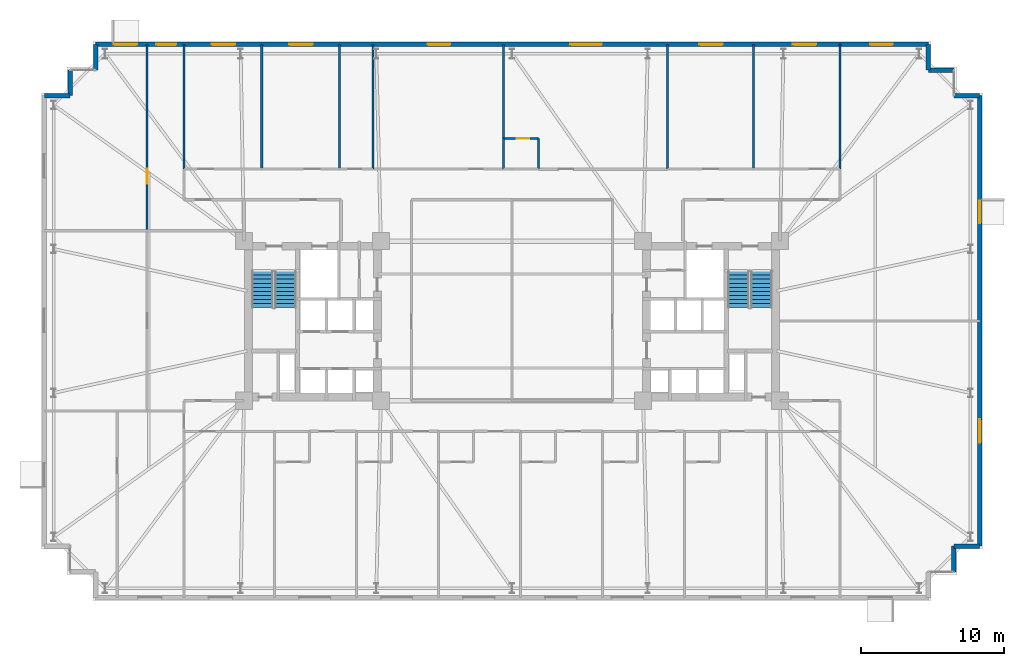
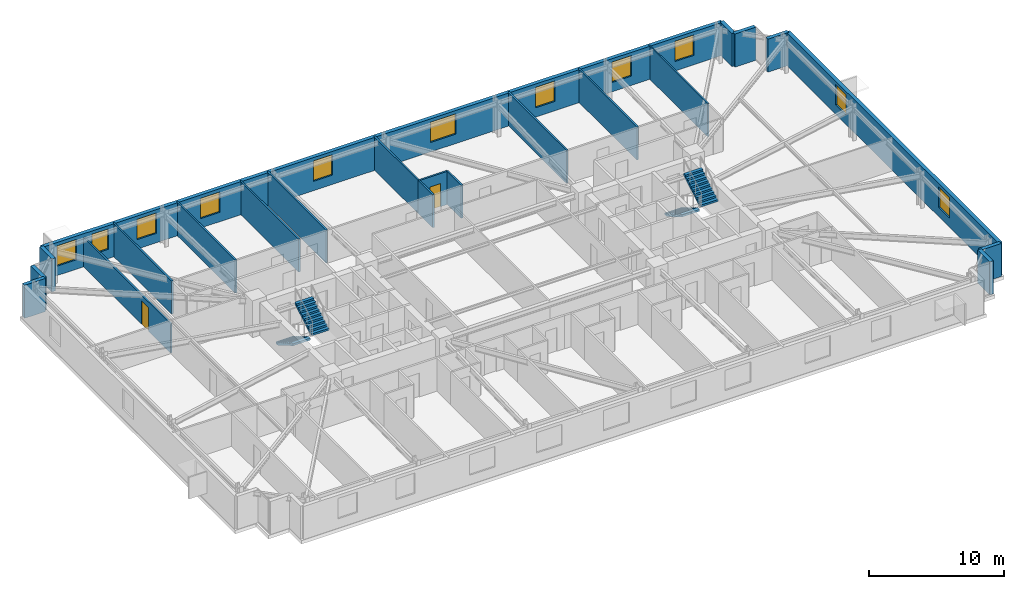
# One storey, part 18 of 20: 22 walls, 11 windows, 4 stair flights, 2 doors, 13 openings, 2 elements without a shape of their own.
"""IFC4 building model written with IfcOpenShell, lengths in metres."""

from ifc_helpers import new_model, si_unit, direction, frame, frame_2d, origin, place, context, subcontext, project, spatial, polyline, rectangle, outline, extrude, material, layer, layer_set, type_object, element, fill, aggregate, save


model = new_model("IFC4")

# Units and contexts
model_context = context("Model", 3, precision=1e-05, world=origin(), true_north=direction((0.0, 1.0)))
body_context = subcontext(model_context, "Body", "Model", "MODEL_VIEW")
ifc_project = project(units=[si_unit("LENGTHUNIT", "METRE"), si_unit("AREAUNIT", "SQUARE_METRE"), si_unit("VOLUMEUNIT", "CUBIC_METRE"), si_unit("PLANEANGLEUNIT", "RADIAN"), si_unit("MASSUNIT", "GRAM", prefix="KILO")], contexts=[model_context])

# Site, building, storey
site_placement = place(None, origin())
site = spatial("IfcSite", under=ifc_project, at=site_placement, CompositionType="ELEMENT")
building_placement = place(site_placement, origin())
building = spatial("IfcBuilding", under=site, at=building_placement, Name="Qobustan Lattice House", CompositionType="ELEMENT")
storey_placement = place(building_placement, frame((0.0, 0.0, 70.550048828125)))
storey = spatial("IfcBuildingStorey", under=building, at=storey_placement, Name="L19", CompositionType="ELEMENT", Elevation=70.550048828125)

# Walls
ifc_material_1 = material(Name="Precast concrete C40/50", Category="concrete")
ifc_layer_1 = layer(ifc_material_1, 0.320068359375)
ifc_layer_set_1 = layer_set([ifc_layer_1], Name="Precast concrete C40/50")
wall_type_1 = type_object("IfcWallType", Name="WAL-EXT-STONE-320", PredefinedType="SOLIDWALL", material=ifc_layer_set_1)
for number, where, z_axis, x_axis, name in (
    (1, (-32.800048828125, 15.800048828125, 0.0), (0.0, 0.0, 1.0), (1.0, 0.0, 0.0), "L19 exterior limestone-clad wall 6"),
    (2, (-31.0, 15.800048828125, 0.0), (0.0, 0.0, 1.0), (0.0, 1.0, 0.0), "L19 exterior limestone-clad wall 7"),
):
    element("IfcWall", number, at=place(storey_placement, frame(where, z_axis=z_axis, x_axis=x_axis)), inside=storey, type_object=wall_type_1, Name=name, PredefinedType="SOLIDWALL", context=body_context, shape_type="SweptSolid", body=[
        extrude(rectangle(XDim=1.800048828125, YDim=0.320068359375, at=frame_2d((0.89990234375, 0.0))), origin(), (0.0, 0.0, 1.0), 3.0),
    ])
wall_1_placement = place(storey_placement, frame((-29.199951171875, 17.60009765625, 0.0), z_axis=(0.0, 0.0, 1.0), x_axis=(0.0, 1.0, 0.0)))
element("IfcWall", 3, at=wall_1_placement, inside=storey, type_object=wall_type_1, Name="L19 exterior limestone-clad wall 9", PredefinedType="SOLIDWALL", context=body_context, shape_type="SweptSolid", body=[
    extrude(rectangle(XDim=1.7998046875, YDim=0.320068359375, at=frame_2d((0.89990234375, 0.0))), origin(), (0.0, 0.0, 1.0), 3.0),
])

# Wall, openings, windows
wall_2_placement = place(storey_placement, frame((-29.199951171875, 19.39990234375, 0.0), z_axis=(0.0, 0.0, 1.0), x_axis=(1.0, 0.0, 0.0)))
wall_2 = element("IfcWall", 4, at=wall_2_placement, inside=storey, type_object=wall_type_1, Name="L19 exterior limestone-clad wall 10", PredefinedType="SOLIDWALL", context=body_context, shape_type="SweptSolid", body=[
    extrude(rectangle(XDim=58.39990234375, YDim=0.320068359375, at=frame_2d((29.199951171875, 0.0))), origin(), (0.0, 0.0, 1.0), 3.0),
])
opening_1_placement = place(wall_2_placement, frame((1.2548828125, 0.0, 0.85009765625)))
opening_1 = element("IfcOpeningElement", 5, at=opening_1_placement, cuts=wall_2, Name="Opening WN-09", PredefinedType="OPENING", context=body_context, shape_type="SweptSolid", body=[
    extrude(rectangle(XDim=1.64990234375, YDim=1.85009765625, at=frame_2d((0.824951171875, 0.925048828125))), frame((0.0, 0.169921875, 0.0), z_axis=(0.0, -1.0, 0.0), x_axis=(1.0, 0.0, 0.0)), (0.0, 0.0, 1.0), 0.340087890625),
])
opening_2_placement = place(wall_2_placement, frame((4.260009765625, 0.0, 0.85009765625)))
opening_2 = element("IfcOpeningElement", 6, at=opening_2_placement, cuts=wall_2, Name="Opening WN-12", PredefinedType="OPENING", context=body_context, shape_type="SweptSolid", body=[
    extrude(rectangle(XDim=1.39990234375, YDim=1.85009765625, at=frame_2d((0.699951171875, 0.925048828125))), frame((0.0, 0.169921875, 0.0), z_axis=(0.0, -1.0, 0.0), x_axis=(1.0, 0.0, 0.0)), (0.0, 0.0, 1.0), 0.340087890625),
])
opening_3_placement = place(wall_2_placement, frame((8.135009765625, 0.0, 0.85009765625)))
opening_3 = element("IfcOpeningElement", 7, at=opening_3_placement, cuts=wall_2, Name="Opening WN-09", PredefinedType="OPENING", context=body_context, shape_type="SweptSolid", body=[
    extrude(rectangle(XDim=1.64990234375, YDim=1.85009765625, at=frame_2d((0.824951171875, 0.925048828125))), frame((0.0, 0.169921875, 0.0), z_axis=(0.0, -1.0, 0.0), x_axis=(1.0, 0.0, 0.0)), (0.0, 0.0, 1.0), 0.340087890625),
])
opening_4_placement = place(wall_2_placement, frame((13.574951171875, 0.0, 0.85009765625)))
opening_4 = element("IfcOpeningElement", 8, at=opening_4_placement, cuts=wall_2, Name="Opening WN-09", PredefinedType="OPENING", context=body_context, shape_type="SweptSolid", body=[
    extrude(rectangle(XDim=1.64990234375, YDim=1.85009765625, at=frame_2d((0.824951171875, 0.925048828125))), frame((0.0, 0.169921875, 0.0), z_axis=(0.0, -1.0, 0.0), x_axis=(1.0, 0.0, 0.0)), (0.0, 0.0, 1.0), 0.340087890625),
])
opening_5_placement = place(wall_2_placement, frame((23.280029296875, 0.0, 0.85009765625)))
opening_5 = element("IfcOpeningElement", 9, at=opening_5_placement, cuts=wall_2, Name="Opening WN-13", PredefinedType="OPENING", context=body_context, shape_type="SweptSolid", body=[
    extrude(rectangle(XDim=1.60009765625, YDim=1.85009765625, at=frame_2d((0.800048828125, 0.925048828125))), frame((0.0, 0.169921875, 0.0), z_axis=(0.0, -1.0, 0.0), x_axis=(1.0, 0.0, 0.0)), (0.0, 0.0, 1.0), 0.340087890625),
])
opening_6_placement = place(wall_2_placement, frame((33.300048828125, 0.0, 0.85009765625)))
opening_6 = element("IfcOpeningElement", 10, at=opening_6_placement, cuts=wall_2, Name="Opening WN-03", PredefinedType="OPENING", context=body_context, shape_type="SweptSolid", body=[
    extrude(rectangle(XDim=2.199951171875, YDim=1.85009765625, at=frame_2d((1.10009765625, 0.925048828125))), frame((0.0, 0.169921875, 0.0), z_axis=(0.0, -1.0, 0.0), x_axis=(1.0, 0.0, 0.0)), (0.0, 0.0, 1.0), 0.340087890625),
])
opening_7_placement = place(wall_2_placement, frame((42.3349609375, 0.0, 0.85009765625)))
opening_7 = element("IfcOpeningElement", 11, at=opening_7_placement, cuts=wall_2, Name="Opening WN-09", PredefinedType="OPENING", context=body_context, shape_type="SweptSolid", body=[
    extrude(rectangle(XDim=1.64990234375, YDim=1.85009765625, at=frame_2d((0.824951171875, 0.925048828125))), frame((0.0, 0.169921875, 0.0), z_axis=(0.0, -1.0, 0.0), x_axis=(1.0, 0.0, 0.0)), (0.0, 0.0, 1.0), 0.340087890625),
])
opening_8_placement = place(wall_2_placement, frame((48.904541015625, 0.0, 0.85009765625)))
opening_8 = element("IfcOpeningElement", 12, at=opening_8_placement, cuts=wall_2, Name="Opening WN-09", PredefinedType="OPENING", context=body_context, shape_type="SweptSolid", body=[
    extrude(rectangle(XDim=1.64990234375, YDim=1.85009765625, at=frame_2d((0.824951171875, 0.925048828125))), frame((0.0, 0.169921875, 0.0), z_axis=(0.0, -1.0, 0.0), x_axis=(1.0, 0.0, 0.0)), (0.0, 0.0, 1.0), 0.340087890625),
])
opening_9_placement = place(wall_2_placement, frame((54.320068359375, 0.0, 0.85009765625)))
opening_9 = element("IfcOpeningElement", 13, at=opening_9_placement, cuts=wall_2, Name="Opening WN-13", PredefinedType="OPENING", context=body_context, shape_type="SweptSolid", body=[
    extrude(rectangle(XDim=1.60009765625, YDim=1.85009765625, at=frame_2d((0.800048828125, 0.925048828125))), frame((0.0, 0.169921875, 0.0), z_axis=(0.0, -1.0, 0.0), x_axis=(1.0, 0.0, 0.0)), (0.0, 0.0, 1.0), 0.340087890625),
])
ifc_material_2 = material(Name="Double-glazed low-E aluminium window", Category="aluminium")
window_type_1 = type_object("IfcWindowType", Name="WIN-BED-1400x1850", PartitioningType="SINGLE_PANEL", PredefinedType="WINDOW", material=ifc_material_2)
window_1_placement = place(opening_2_placement, origin())
window_1 = element("IfcWindow", 14, at=window_1_placement, inside=storey, type_object=window_type_1, Name="L19 Focus study room W3B window", OverallHeight=1.85009765625, OverallWidth=1.39990234375, PartitioningType="SINGLE_PANEL", PredefinedType="WINDOW", context=body_context, shape_type="SweptSolid", body=[
    extrude(rectangle(XDim=1.39990234375, YDim=1.85009765625, at=frame_2d((0.699951171875, 0.925048828125))), frame((0.0, 0.030029296875, 0.0), z_axis=(0.0, -1.0, 0.0), x_axis=(1.0, 0.0, 0.0)), (0.0, 0.0, 1.0), 0.06005859375),
])
fill(opening_2, window_1)
ifc_material_3 = material(Name="Double-glazed low-E aluminium window", Category="aluminium")
window_type_2 = type_object("IfcWindowType", Name="WIN-BED-1600x1850", PartitioningType="SINGLE_PANEL", PredefinedType="WINDOW", material=ifc_material_3)
window_2_placement = place(opening_5_placement, origin())
window_2 = element("IfcWindow", 15, at=window_2_placement, inside=storey, type_object=window_type_2, Name="L19 Laundry utility room window", OverallHeight=1.85009765625, OverallWidth=1.60009765625, PartitioningType="SINGLE_PANEL", PredefinedType="WINDOW", context=body_context, shape_type="SweptSolid", body=[
    extrude(rectangle(XDim=1.60009765625, YDim=1.85009765625, at=frame_2d((0.800048828125, 0.925048828125))), frame((0.0, 0.030029296875, 0.0), z_axis=(0.0, -1.0, 0.0), x_axis=(1.0, 0.0, 0.0)), (0.0, 0.0, 1.0), 0.06005859375),
])
fill(opening_5, window_2)
window_3_placement = place(opening_9_placement, origin())
window_3 = element("IfcWindow", 16, at=window_3_placement, inside=storey, type_object=window_type_2, Name="L19 Music and podcast studio window", OverallHeight=1.85009765625, OverallWidth=1.60009765625, PartitioningType="SINGLE_PANEL", PredefinedType="WINDOW", context=body_context, shape_type="SweptSolid", body=[
    extrude(rectangle(XDim=1.60009765625, YDim=1.85009765625, at=frame_2d((0.800048828125, 0.925048828125))), frame((0.0, 0.030029296875, 0.0), z_axis=(0.0, -1.0, 0.0), x_axis=(1.0, 0.0, 0.0)), (0.0, 0.0, 1.0), 0.06005859375),
])
fill(opening_9, window_3)
ifc_material_4 = material(Name="Double-glazed low-E aluminium window", Category="aluminium")
window_type_3 = type_object("IfcWindowType", Name="WIN-STU-1650x1850", PartitioningType="SINGLE_PANEL", PredefinedType="WINDOW", material=ifc_material_4)
window_4_placement = place(opening_1_placement, origin())
window_4 = element("IfcWindow", 17, at=window_4_placement, inside=storey, type_object=window_type_3, Name="L19 Focus study room W3A window", OverallHeight=1.85009765625, OverallWidth=1.64990234375, PartitioningType="SINGLE_PANEL", PredefinedType="WINDOW", context=body_context, shape_type="SweptSolid", body=[
    extrude(rectangle(XDim=1.64990234375, YDim=1.85009765625, at=frame_2d((0.824951171875, 0.925048828125))), frame((0.0, 0.030029296875, 0.0), z_axis=(0.0, -1.0, 0.0), x_axis=(1.0, 0.0, 0.0)), (0.0, 0.0, 1.0), 0.06005859375),
])
fill(opening_1, window_4)
window_5_placement = place(opening_3_placement, origin())
window_5 = element("IfcWindow", 18, at=window_5_placement, inside=storey, type_object=window_type_3, Name="L19 Focus study room N1A window", OverallHeight=1.85009765625, OverallWidth=1.64990234375, PartitioningType="SINGLE_PANEL", PredefinedType="WINDOW", context=body_context, shape_type="SweptSolid", body=[
    extrude(rectangle(XDim=1.64990234375, YDim=1.85009765625, at=frame_2d((0.824951171875, 0.925048828125))), frame((0.0, 0.030029296875, 0.0), z_axis=(0.0, -1.0, 0.0), x_axis=(1.0, 0.0, 0.0)), (0.0, 0.0, 1.0), 0.06005859375),
])
fill(opening_3, window_5)
window_6_placement = place(opening_4_placement, origin())
window_6 = element("IfcWindow", 19, at=window_6_placement, inside=storey, type_object=window_type_3, Name="L19 Focus study room N1B window", OverallHeight=1.85009765625, OverallWidth=1.64990234375, PartitioningType="SINGLE_PANEL", PredefinedType="WINDOW", context=body_context, shape_type="SweptSolid", body=[
    extrude(rectangle(XDim=1.64990234375, YDim=1.85009765625, at=frame_2d((0.824951171875, 0.925048828125))), frame((0.0, 0.030029296875, 0.0), z_axis=(0.0, -1.0, 0.0), x_axis=(1.0, 0.0, 0.0)), (0.0, 0.0, 1.0), 0.06005859375),
])
fill(opening_4, window_6)
window_7_placement = place(opening_7_placement, origin())
window_7 = element("IfcWindow", 20, at=window_7_placement, inside=storey, type_object=window_type_3, Name="L19 Focus study room N4A window", OverallHeight=1.85009765625, OverallWidth=1.64990234375, PartitioningType="SINGLE_PANEL", PredefinedType="WINDOW", context=body_context, shape_type="SweptSolid", body=[
    extrude(rectangle(XDim=1.64990234375, YDim=1.85009765625, at=frame_2d((0.824951171875, 0.925048828125))), frame((0.0, 0.030029296875, 0.0), z_axis=(0.0, -1.0, 0.0), x_axis=(1.0, 0.0, 0.0)), (0.0, 0.0, 1.0), 0.06005859375),
])
fill(opening_7, window_7)
window_8_placement = place(opening_8_placement, origin())
window_8 = element("IfcWindow", 21, at=window_8_placement, inside=storey, type_object=window_type_3, Name="L19 Focus study room N4B window", OverallHeight=1.85009765625, OverallWidth=1.64990234375, PartitioningType="SINGLE_PANEL", PredefinedType="WINDOW", context=body_context, shape_type="SweptSolid", body=[
    extrude(rectangle(XDim=1.64990234375, YDim=1.85009765625, at=frame_2d((0.824951171875, 0.925048828125))), frame((0.0, 0.030029296875, 0.0), z_axis=(0.0, -1.0, 0.0), x_axis=(1.0, 0.0, 0.0)), (0.0, 0.0, 1.0), 0.06005859375),
])
fill(opening_8, window_8)
ifc_material_5 = material(Name="Double-glazed low-E aluminium window", Category="aluminium")
window_type_4 = type_object("IfcWindowType", Name="WIN-WIDE-2200x1850", PartitioningType="SINGLE_PANEL", PredefinedType="WINDOW", material=ifc_material_5)
window_9_placement = place(opening_6_placement, origin())
window_9 = element("IfcWindow", 22, at=window_9_placement, inside=storey, type_object=window_type_4, Name="L19 Kitchenette and studio apartment L19-N3 window", OverallHeight=1.85009765625, OverallWidth=2.199951171875, PartitioningType="SINGLE_PANEL", PredefinedType="WINDOW", context=body_context, shape_type="SweptSolid", body=[
    extrude(rectangle(XDim=2.199951171875, YDim=1.85009765625, at=frame_2d((1.10009765625, 0.925048828125))), frame((0.0, 0.030029296875, 0.0), z_axis=(0.0, -1.0, 0.0), x_axis=(1.0, 0.0, 0.0)), (0.0, 0.0, 1.0), 0.06005859375),
])
fill(opening_6, window_9)

# Walls
wall_3_placement = place(storey_placement, frame((29.199951171875, 19.39990234375, 0.0), z_axis=(0.0, 0.0, 1.0), x_axis=(0.0, -1.0, 0.0)))
element("IfcWall", 23, at=wall_3_placement, inside=storey, type_object=wall_type_1, Name="L19 exterior limestone-clad wall 11", PredefinedType="SOLIDWALL", context=body_context, shape_type="SweptSolid", body=[
    extrude(rectangle(XDim=1.7998046875, YDim=0.320068359375, at=frame_2d((0.89990234375, 0.0))), origin(), (0.0, 0.0, 1.0), 3.0),
])
for number, where, z_axis, x_axis, name in (
    (24, (29.199951171875, 17.60009765625, 0.0), (0.0, 0.0, 1.0), (1.0, 0.0, 0.0), "L19 exterior limestone-clad wall 12"),
    (25, (31.0, 15.800048828125, 0.0), (0.0, 0.0, 1.0), (1.0, 0.0, 0.0), "L19 exterior limestone-clad wall 14"),
):
    element("IfcWall", number, at=place(storey_placement, frame(where, z_axis=z_axis, x_axis=x_axis)), inside=storey, type_object=wall_type_1, Name=name, PredefinedType="SOLIDWALL", context=body_context, shape_type="SweptSolid", body=[
        extrude(rectangle(XDim=1.800048828125, YDim=0.320068359375, at=frame_2d((0.89990234375, 0.0))), origin(), (0.0, 0.0, 1.0), 3.0),
    ])

# Wall, openings, windows
wall_4_placement = place(storey_placement, frame((32.800048828125, 15.800048828125, 0.0), z_axis=(0.0, 0.0, 1.0), x_axis=(0.0, -1.0, 0.0)))
wall_4 = element("IfcWall", 26, at=wall_4_placement, inside=storey, type_object=wall_type_1, Name="L19 exterior limestone-clad wall 15", PredefinedType="SOLIDWALL", context=body_context, shape_type="SweptSolid", body=[
    extrude(rectangle(XDim=31.60009765625, YDim=0.320068359375, at=frame_2d((15.800048828125, 0.0))), origin(), (0.0, 0.0, 1.0), 3.0),
])
opening_10_placement = place(wall_4_placement, frame((7.360107421875, 0.0, 0.85009765625)))
opening_10 = element("IfcOpeningElement", 27, at=opening_10_placement, cuts=wall_4, Name="Opening WN-13", PredefinedType="OPENING", context=body_context, shape_type="SweptSolid", body=[
    extrude(rectangle(XDim=1.60009765625, YDim=1.85009765625, at=frame_2d((0.800048828125, 0.925048828125))), frame((0.0, 0.169921875, 0.0), z_axis=(0.0, -1.0, 0.0), x_axis=(1.0, 0.0, 0.0)), (0.0, 0.0, 1.0), 0.340087890625),
])
opening_11_placement = place(wall_4_placement, frame((22.695068359375, 0.0, 0.85009765625)))
opening_11 = element("IfcOpeningElement", 28, at=opening_11_placement, cuts=wall_4, Name="Opening WN-09", PredefinedType="OPENING", context=body_context, shape_type="SweptSolid", body=[
    extrude(rectangle(XDim=1.64990234375, YDim=1.85009765625, at=frame_2d((0.824951171875, 0.925048828125))), frame((0.0, 0.169921875, 0.0), z_axis=(0.0, -1.0, 0.0), x_axis=(1.0, 0.0, 0.0)), (0.0, 0.0, 1.0), 0.340087890625),
])
window_10_placement = place(opening_10_placement, origin())
window_10 = element("IfcWindow", 29, at=window_10_placement, inside=storey, type_object=window_type_2, Name="L19 Music and podcast studio window", OverallHeight=1.85009765625, OverallWidth=1.60009765625, PartitioningType="SINGLE_PANEL", PredefinedType="WINDOW", context=body_context, shape_type="SweptSolid", body=[
    extrude(rectangle(XDim=1.60009765625, YDim=1.85009765625, at=frame_2d((0.800048828125, 0.925048828125))), frame((0.0, 0.030029296875, 0.0), z_axis=(0.0, -1.0, 0.0), x_axis=(1.0, 0.0, 0.0)), (0.0, 0.0, 1.0), 0.06005859375),
])
fill(opening_10, window_10)
window_11_placement = place(opening_11_placement, origin())
window_11 = element("IfcWindow", 30, at=window_11_placement, inside=storey, type_object=window_type_3, Name="L19 Academic seminar room window", OverallHeight=1.85009765625, OverallWidth=1.64990234375, PartitioningType="SINGLE_PANEL", PredefinedType="WINDOW", context=body_context, shape_type="SweptSolid", body=[
    extrude(rectangle(XDim=1.64990234375, YDim=1.85009765625, at=frame_2d((0.824951171875, 0.925048828125))), frame((0.0, 0.030029296875, 0.0), z_axis=(0.0, -1.0, 0.0), x_axis=(1.0, 0.0, 0.0)), (0.0, 0.0, 1.0), 0.06005859375),
])
fill(opening_11, window_11)

# Walls
for number, where, z_axis, x_axis, name in (
    (31, (32.800048828125, -15.800048828125, 0.0), (0.0, 0.0, 1.0), (-1.0, 0.0, 0.0), "L19 exterior limestone-clad wall 16"),
    (32, (31.0, -15.800048828125, 0.0), (0.0, 0.0, 1.0), (0.0, -1.0, 0.0), "L19 exterior limestone-clad wall 17"),
):
    element("IfcWall", number, at=place(storey_placement, frame(where, z_axis=z_axis, x_axis=x_axis)), inside=storey, type_object=wall_type_1, Name=name, PredefinedType="SOLIDWALL", context=body_context, shape_type="SweptSolid", body=[
        extrude(rectangle(XDim=1.800048828125, YDim=0.320068359375, at=frame_2d((0.89990234375, 0.0))), origin(), (0.0, 0.0, 1.0), 3.0),
    ])
ifc_material_6 = material(Name="Lightweight acoustic stud partition", Category="gypsum")
ifc_layer_2 = layer(ifc_material_6, 0.125)
ifc_layer_set_2 = layer_set([ifc_layer_2], Name="Lightweight acoustic stud partition")
wall_type_2 = type_object("IfcWallType", Name="WAL-PART-125", PredefinedType="PARTITIONING", material=ifc_layer_set_2)
wall_5_placement = place(storey_placement, frame((23.0, 10.64990234375, 0.0), z_axis=(0.0, 0.0, 1.0), x_axis=(0.0, 1.0, 0.0)))
element("IfcWall", 33, at=wall_5_placement, inside=storey, type_object=wall_type_2, Name="L19 interior partition 90", PredefinedType="PARTITIONING", context=body_context, shape_type="SweptSolid", body=[
    extrude(rectangle(XDim=8.75, YDim=0.125, at=frame_2d((4.375, 0.0))), origin(), (0.0, 0.0, 1.0), 3.0),
])

# Wall, opening, door
ifc_material_7 = material(Name="Acoustic twin-stud gypsum partition", Category="gypsum")
ifc_layer_3 = layer(ifc_material_7, 0.14990234375)
ifc_layer_set_3 = layer_set([ifc_layer_3], Name="Acoustic twin-stud gypsum partition")
wall_type_3 = type_object("IfcWallType", Name="WAL-PART-150", PredefinedType="PARTITIONING", material=ifc_layer_set_3)
wall_6_placement = place(storey_placement, frame((-25.590087890625, 19.39990234375, 0.0), z_axis=(0.0, 0.0, 1.0), x_axis=(0.0, -1.0, 0.0)))
wall_6 = element("IfcWall", 34, at=wall_6_placement, inside=storey, type_object=wall_type_3, Name="L19 interior partition 86", PredefinedType="PARTITIONING", context=body_context, shape_type="SweptSolid", body=[
    extrude(rectangle(XDim=13.072998046875, YDim=0.14990234375, at=frame_2d((6.53662109375, 0.0))), origin(), (0.0, 0.0, 1.0), 2.655029296875),
])
opening_12_placement = place(wall_6_placement, frame((8.727294921875, 0.0, 0.0)))
opening_12 = element("IfcOpeningElement", 35, at=opening_12_placement, cuts=wall_6, Name="Opening ID-02", PredefinedType="OPENING", context=body_context, shape_type="SweptSolid", body=[
    extrude(rectangle(XDim=1.050048828125, YDim=2.14990234375, at=frame_2d((0.52490234375, 1.074951171875))), frame((0.0, 0.0849609375, 0.0), z_axis=(0.0, -1.0, 0.0), x_axis=(1.0, 0.0, 0.0)), (0.0, 0.0, 1.0), 0.169921875),
])
ifc_material_8 = material(Name="Persian walnut timber and steel frame door", Category="steel")
door_type_1 = type_object("IfcDoorType", Name="DOR-STUDY-1050x2150", OperationType="NOTDEFINED", PredefinedType="DOOR", material=ifc_material_8)
door_1_placement = place(opening_12_placement, origin())
door_1 = element("IfcDoor", 36, at=door_1_placement, inside=storey, type_object=door_type_1, Name="L19 Focus study room W3A to Focus study room W3B door", OperationType="SINGLE_SWING_LEFT", OverallHeight=2.14990234375, OverallWidth=1.050048828125, PredefinedType="DOOR", context=body_context, shape_type="SweptSolid", body=[
    extrude(rectangle(XDim=1.050048828125, YDim=2.14990234375, at=frame_2d((0.52490234375, 1.074951171875))), frame((0.0, 0.02490234375, 0.0), z_axis=(0.0, -1.0, 0.0), x_axis=(1.0, 0.0, 0.0)), (0.0, 0.0, 1.0), 0.050048828125),
])
fill(opening_12, door_1)

# Walls
for number, where, z_axis, x_axis, name in (
    (37, (-23.0, 19.39990234375, 0.0), (0.0, 0.0, 1.0), (0.0, -1.0, 0.0), "L19 interior partition 87"),
    (38, (-17.550048828125, 19.39990234375, 0.0), (0.0, 0.0, 1.0), (0.0, -1.0, 0.0), "L19 interior partition 91"),
):
    element("IfcWall", number, at=place(storey_placement, frame(where, z_axis=z_axis, x_axis=x_axis)), inside=storey, type_object=wall_type_3, Name=name, PredefinedType="PARTITIONING", context=body_context, shape_type="SweptSolid", body=[
        extrude(rectangle(XDim=8.75, YDim=0.14990234375, at=frame_2d((4.375, 0.0))), origin(), (0.0, 0.0, 1.0), 3.0),
    ])
wall_7_placement = place(storey_placement, frame((-0.60009765625, 19.39990234375, 0.0), z_axis=(0.0, 0.0, 1.0), x_axis=(0.0, -1.0, 0.0)))
element("IfcWall", 39, at=wall_7_placement, inside=storey, type_object=wall_type_3, Name="L19 interior partition 94", PredefinedType="PARTITIONING", context=body_context, shape_type="SweptSolid", body=[
    extrude(rectangle(XDim=6.599853515625, YDim=0.14990234375, at=frame_2d((3.2998046875, 0.0))), origin(), (0.0, 0.0, 1.0), 3.0),
])
for number, where, z_axis, x_axis, name in (
    (40, (10.89990234375, 19.39990234375, 0.0), (0.0, 0.0, 1.0), (0.0, -1.0, 0.0), "L19 interior partition 98"),
    (41, (16.949951171875, 19.39990234375, 0.0), (0.0, 0.0, 1.0), (0.0, -1.0, 0.0), "L19 interior partition 99"),
):
    element("IfcWall", number, at=place(storey_placement, frame(where, z_axis=z_axis, x_axis=x_axis)), inside=storey, type_object=wall_type_3, Name=name, PredefinedType="PARTITIONING", context=body_context, shape_type="SweptSolid", body=[
        extrude(rectangle(XDim=8.75, YDim=0.14990234375, at=frame_2d((4.375, 0.0))), origin(), (0.0, 0.0, 1.0), 3.0),
    ])
ifc_material_9 = material(Name="Moisture-resistant acoustic plumbing wall", Category="gypsum")
ifc_layer_4 = layer(ifc_material_9, 0.14990234375)
ifc_layer_set_4 = layer_set([ifc_layer_4], Name="Moisture-resistant acoustic plumbing wall")
wall_type_4 = type_object("IfcWallType", Name="WAL-WET-150", PredefinedType="PLUMBINGWALL", material=ifc_layer_set_4)
for number, where, z_axis, x_axis, name in (
    (42, (-12.10009765625, 19.39990234375, 0.0), (0.0, 0.0, 1.0), (0.0, -1.0, 0.0), "L19 interior partition 92"),
    (43, (-9.75, 19.39990234375, 0.0), (0.0, 0.0, 1.0), (0.0, -1.0, 0.0), "L19 interior partition 93"),
):
    element("IfcWall", number, at=place(storey_placement, frame(where, z_axis=z_axis, x_axis=x_axis)), inside=storey, type_object=wall_type_4, Name=name, PredefinedType="PLUMBINGWALL", context=body_context, shape_type="SweptSolid", body=[
        extrude(rectangle(XDim=8.75, YDim=0.14990234375, at=frame_2d((4.375, 0.0))), origin(), (0.0, 0.0, 1.0), 3.0),
    ])
wall_8_placement = place(storey_placement, frame((-0.60009765625, 12.800048828125, 0.0), z_axis=(0.0, 0.0, 1.0), x_axis=(0.0, -1.0, 0.0)))
element("IfcWall", 44, at=wall_8_placement, inside=storey, type_object=wall_type_4, Name="L19 interior partition 95", PredefinedType="PLUMBINGWALL", context=body_context, shape_type="SweptSolid", body=[
    extrude(rectangle(XDim=2.150146484375, YDim=0.14990234375, at=frame_2d((1.0751953125, 0.0))), origin(), (0.0, 0.0, 1.0), 3.0),
])

# Wall, opening, door
wall_9_placement = place(storey_placement, frame((1.85009765625, 12.800048828125, 0.0), z_axis=(0.0, 0.0, 1.0), x_axis=(-1.0, 0.0, 0.0)))
wall_9 = element("IfcWall", 45, at=wall_9_placement, inside=storey, type_object=wall_type_4, Name="L19 interior partition 96", PredefinedType="PLUMBINGWALL", context=body_context, shape_type="SweptSolid", body=[
    extrude(rectangle(XDim=2.4501953125, YDim=0.14990234375, at=frame_2d((1.22509765625, 0.0))), origin(), (0.0, 0.0, 1.0), 3.0),
])
opening_13_placement = place(wall_9_placement, frame((0.62890625, 0.0, 0.0)))
opening_13 = element("IfcOpeningElement", 46, at=opening_13_placement, cuts=wall_9, Name="Opening WD-01", PredefinedType="OPENING", context=body_context, shape_type="SweptSolid", body=[
    extrude(rectangle(XDim=0.89990234375, YDim=2.10009765625, at=frame_2d((0.449951171875, 1.050048828125))), frame((0.0, 0.0849609375, 0.0), z_axis=(0.0, -1.0, 0.0), x_axis=(1.0, 0.0, 0.0)), (0.0, 0.0, 1.0), 0.169921875),
])
ifc_material_10 = material(Name="Persian walnut timber and steel frame door", Category="steel")
door_type_2 = type_object("IfcDoorType", Name="DOR-WET-900x2100", OperationType="NOTDEFINED", PredefinedType="DOOR", material=ifc_material_10)
door_2_placement = place(opening_13_placement, origin())
door_2 = element("IfcDoor", 47, at=door_2_placement, inside=storey, type_object=door_type_2, Name="L19 Kitchenette and studio apartment L19-N3 to En-suite bathroom L19-N3 door", OperationType="SINGLE_SWING_RIGHT", OverallHeight=2.10009765625, OverallWidth=0.89990234375, PredefinedType="DOOR", context=body_context, shape_type="SweptSolid", body=[
    extrude(rectangle(XDim=0.89990234375, YDim=2.10009765625, at=frame_2d((0.449951171875, 1.050048828125))), frame((0.0, 0.02490234375, 0.0), z_axis=(0.0, -1.0, 0.0), x_axis=(1.0, 0.0, 0.0)), (0.0, 0.0, 1.0), 0.050048828125),
])
fill(opening_13, door_2)

# Wall
wall_10_placement = place(storey_placement, frame((1.85009765625, 10.64990234375, 0.0), z_axis=(0.0, 0.0, 1.0), x_axis=(0.0, 1.0, 0.0)))
element("IfcWall", 48, at=wall_10_placement, inside=storey, type_object=wall_type_4, Name="L19 interior partition 97", PredefinedType="PLUMBINGWALL", context=body_context, shape_type="SweptSolid", body=[
    extrude(rectangle(XDim=2.150146484375, YDim=0.14990234375, at=frame_2d((1.0751953125, 0.0))), origin(), (0.0, 0.0, 1.0), 3.0),
])

# Stair, stair flights
ifc_material_11 = material(Name="Concrete C40/50", Category="concrete")
stair_type = type_object("IfcStairType", Name="STR-CORE-DOGLEG", PredefinedType="HALF_TURN_STAIR", material=ifc_material_11)
stair_1_placement = place(storey_placement, origin())
stair_1 = element("IfcStair", 49, at=stair_1_placement, inside=storey, type_object=stair_type, Name="L19 West protected exit stair ST-W1", PredefinedType="HALF_TURN_STAIR")
ifc_material_12 = material(Name="Concrete C40/50", Category="concrete")
stair_flight_type = type_object("IfcStairFlightType", Name="SFL-RC-1500", PredefinedType="STRAIGHT", material=ifc_material_12)
stair_flight_1_placement = place(storey_placement, frame((-17.5, 3.5, 0.0), z_axis=(0.0, 0.0, 1.0), x_axis=(0.0, -1.0, 0.0)))
stair_flight_1 = element("IfcStairFlight", 50, at=stair_flight_1_placement, type_object=stair_flight_type, Name="ST-W1 flight 1", NumberOfRisers=10, NumberOfTreads=9, PredefinedType="STRAIGHT", RiserHeight=0.1675, TreadLength=0.285, context=body_context, shape_type="SweptSolid", body=[
    extrude(outline(polyline([(0.0, 0.0), (0.0, 0.16748046875), (0.284912109375, 0.16748046875), (0.284912109375, 0.3349609375), (0.570068359375, 0.3349609375), (0.570068359375, 0.50244140625), (0.85498046875, 0.50244140625), (0.85498046875, 0.669921875), (1.139892578125, 0.669921875), (1.139892578125, 0.83740234375), (1.425048828125, 0.83740234375), (1.425048828125, 1.0048828125), (1.7099609375, 1.0048828125), (1.7099609375, 1.172607421875), (1.9951171875, 1.172607421875), (1.9951171875, 1.340087890625), (2.280029296875, 1.340087890625), (2.280029296875, 1.507568359375), (2.56494140625, 1.507568359375), (2.56494140625, 1.675048828125), (2.56494140625, 1.333740234375), (0.2958984375, 0.0), (0.0, 0.0)])), frame((0.0, 0.75, 0.0), z_axis=(0.0, -1.0, 0.0), x_axis=(1.0, 0.0, 0.0)), (0.0, 0.0, 1.0), 1.5),
])
stair_flight_2_placement = place(storey_placement, frame((-15.8798828125, 0.93505859375, 1.675048828125), z_axis=(0.0, 0.0, 1.0), x_axis=(0.0, 1.0, 0.0)))
stair_flight_2 = element("IfcStairFlight", 51, at=stair_flight_2_placement, type_object=stair_flight_type, Name="ST-W1 flight 2", NumberOfRisers=10, NumberOfTreads=9, PredefinedType="STRAIGHT", RiserHeight=0.1675, TreadLength=0.285, context=body_context, shape_type="SweptSolid", body=[
    extrude(outline(polyline([(0.0, 0.0), (0.0, 0.16748046875), (0.284912109375, 0.16748046875), (0.284912109375, 0.3349609375), (0.570068359375, 0.3349609375), (0.570068359375, 0.50244140625), (0.85498046875, 0.50244140625), (0.85498046875, 0.669921875), (1.139892578125, 0.669921875), (1.139892578125, 0.83740234375), (1.425048828125, 0.83740234375), (1.425048828125, 1.0048828125), (1.7099609375, 1.0048828125), (1.7099609375, 1.172607421875), (1.9951171875, 1.172607421875), (1.9951171875, 1.340087890625), (2.280029296875, 1.340087890625), (2.280029296875, 1.507568359375), (2.56494140625, 1.507568359375), (2.56494140625, 1.675048828125), (2.56494140625, 1.333740234375), (0.2958984375, 0.0), (0.0, 0.0)])), frame((0.0, 0.75, 0.0), z_axis=(0.0, -1.0, 0.0), x_axis=(1.0, 0.0, 0.0)), (0.0, 0.0, 1.0), 1.5),
])
aggregate(stair_1, [stair_flight_1, stair_flight_2])

stair_2_placement = place(storey_placement, origin())
stair_2 = element("IfcStair", 52, at=stair_2_placement, inside=storey, type_object=stair_type, Name="L19 East protected exit stair ST-E1", PredefinedType="HALF_TURN_STAIR")
stair_flight_3_placement = place(storey_placement, frame((15.8798828125, 3.5, 0.0), z_axis=(0.0, 0.0, 1.0), x_axis=(0.0, -1.0, 0.0)))
stair_flight_3 = element("IfcStairFlight", 53, at=stair_flight_3_placement, type_object=stair_flight_type, Name="ST-E1 flight 1", NumberOfRisers=10, NumberOfTreads=9, PredefinedType="STRAIGHT", RiserHeight=0.1675, TreadLength=0.285, context=body_context, shape_type="SweptSolid", body=[
    extrude(outline(polyline([(0.0, 0.0), (0.0, 0.16748046875), (0.284912109375, 0.16748046875), (0.284912109375, 0.3349609375), (0.570068359375, 0.3349609375), (0.570068359375, 0.50244140625), (0.85498046875, 0.50244140625), (0.85498046875, 0.669921875), (1.139892578125, 0.669921875), (1.139892578125, 0.83740234375), (1.425048828125, 0.83740234375), (1.425048828125, 1.0048828125), (1.7099609375, 1.0048828125), (1.7099609375, 1.172607421875), (1.9951171875, 1.172607421875), (1.9951171875, 1.340087890625), (2.280029296875, 1.340087890625), (2.280029296875, 1.507568359375), (2.56494140625, 1.507568359375), (2.56494140625, 1.675048828125), (2.56494140625, 1.333740234375), (0.2958984375, 0.0), (0.0, 0.0)])), frame((0.0, 0.75, 0.0), z_axis=(0.0, -1.0, 0.0), x_axis=(1.0, 0.0, 0.0)), (0.0, 0.0, 1.0), 1.5),
])
stair_flight_4_placement = place(storey_placement, frame((17.5, 0.93505859375, 1.675048828125), z_axis=(0.0, 0.0, 1.0), x_axis=(0.0, 1.0, 0.0)))
stair_flight_4 = element("IfcStairFlight", 54, at=stair_flight_4_placement, type_object=stair_flight_type, Name="ST-E1 flight 2", NumberOfRisers=10, NumberOfTreads=9, PredefinedType="STRAIGHT", RiserHeight=0.1675, TreadLength=0.285, context=body_context, shape_type="SweptSolid", body=[
    extrude(outline(polyline([(0.0, 0.0), (0.0, 0.16748046875), (0.284912109375, 0.16748046875), (0.284912109375, 0.3349609375), (0.570068359375, 0.3349609375), (0.570068359375, 0.50244140625), (0.85498046875, 0.50244140625), (0.85498046875, 0.669921875), (1.139892578125, 0.669921875), (1.139892578125, 0.83740234375), (1.425048828125, 0.83740234375), (1.425048828125, 1.0048828125), (1.7099609375, 1.0048828125), (1.7099609375, 1.172607421875), (1.9951171875, 1.172607421875), (1.9951171875, 1.340087890625), (2.280029296875, 1.340087890625), (2.280029296875, 1.507568359375), (2.56494140625, 1.507568359375), (2.56494140625, 1.675048828125), (2.56494140625, 1.333740234375), (0.2958984375, 0.0), (0.0, 0.0)])), frame((0.0, 0.75, 0.0), z_axis=(0.0, -1.0, 0.0), x_axis=(1.0, 0.0, 0.0)), (0.0, 0.0, 1.0), 1.5),
])
aggregate(stair_2, [stair_flight_3, stair_flight_4])

save(model, "model.ifc")
